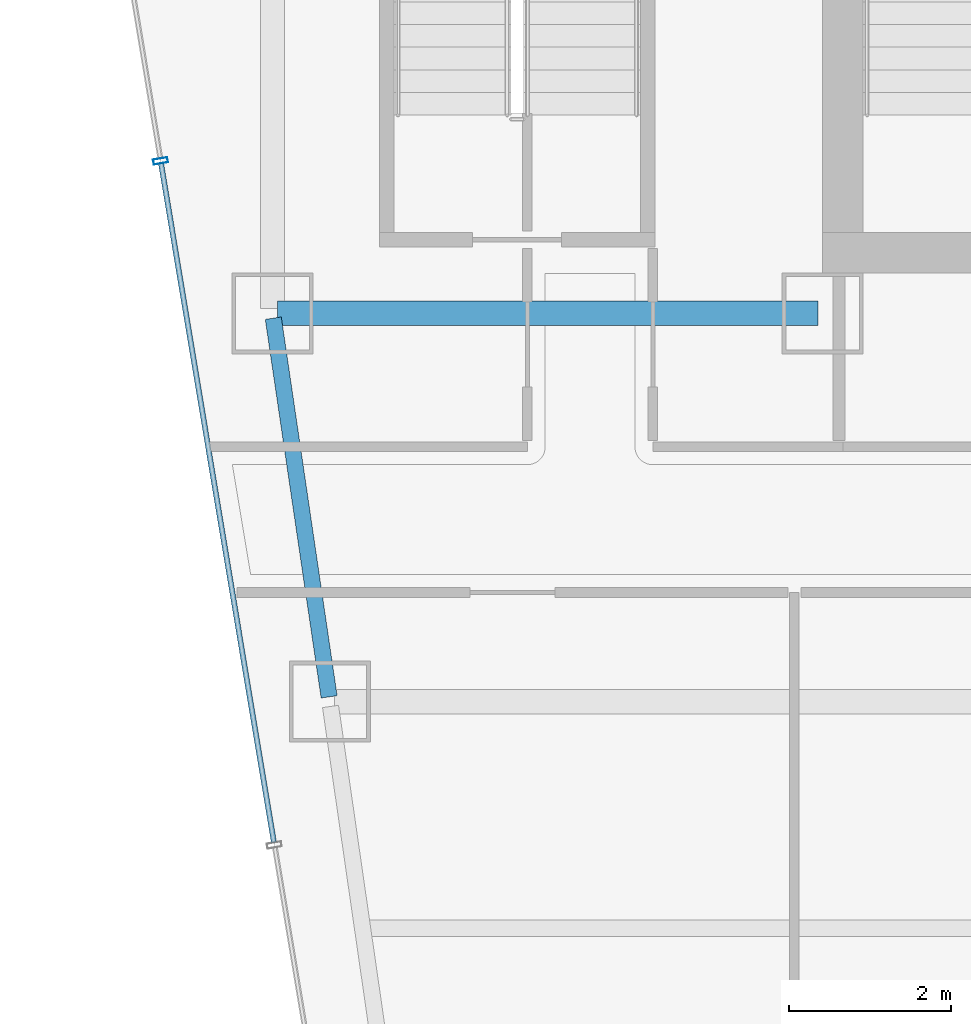
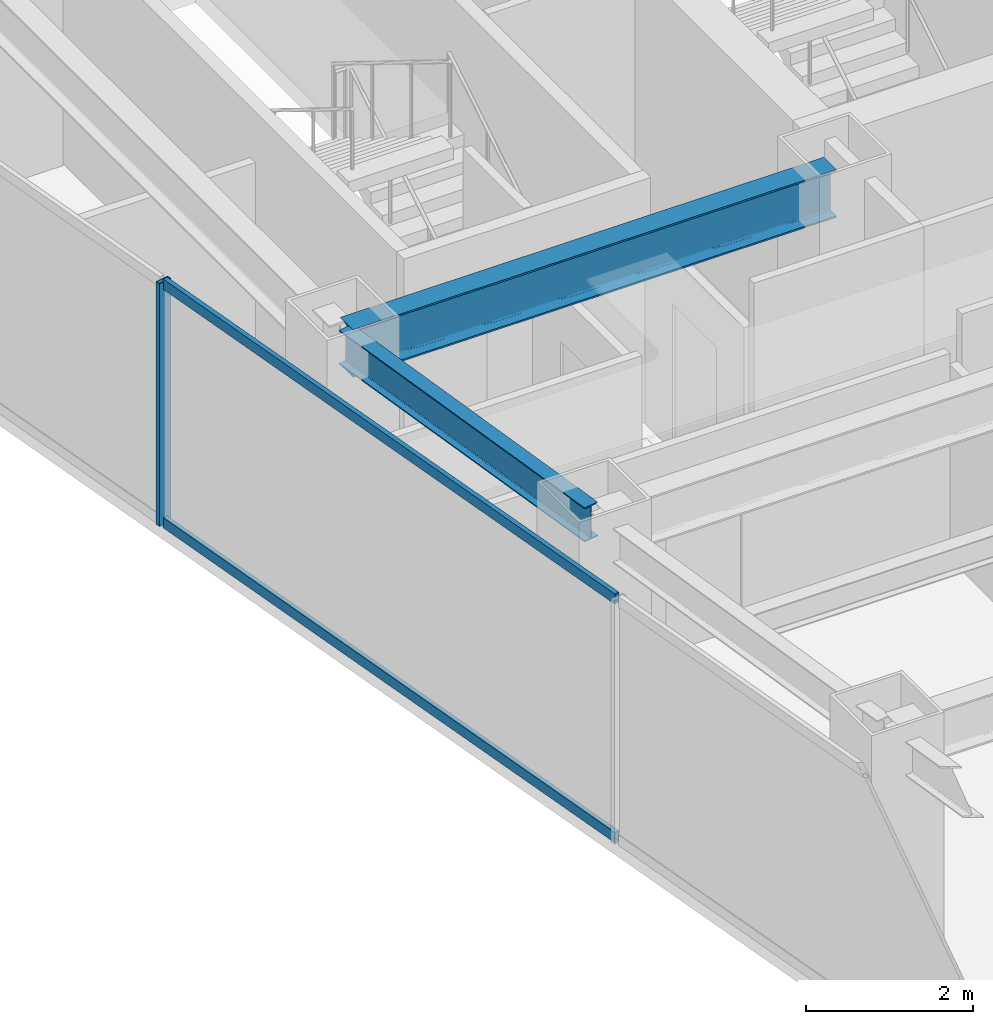
# One storey, part 23 of 40: 3 members, 2 beams, 1 element without a shape of its own.
"""IFC4 building model written with IfcOpenShell, lengths in metres."""

import ifcopenshell
import ifcopenshell.guid

model = None  # the IFC model being written
_history = None  # IfcOwnerHistory: only IFC2X3 demands one
_inside = {}  # id of a spatial element -> (the spatial element, [elements in it])
_under = {}  # id of a project, library or spatial element -> (it, [spatial elements below it])
_declared = {}  # id of a project -> (the project, [libraries it declares])
_typed = {}  # id of a type object -> (the type object, [elements of that type])
_made_of = {}  # id of a material, layer set ... -> (it, [elements and type objects made of it])


def new_model(schema):
    """Start an empty IFC model of exactly this schema.

    Asked for "IFC4X3", IfcOpenShell would pick the latest addendum, in which some entities
    have other attributes; the version numbers below select the first issue.
    IFC2X3 requires an IfcOwnerHistory on every rooted entity: one is made here for all.
    """
    global model, _history
    if schema == "IFC4X3":
        model = ifcopenshell.file(schema_version=(4, 3, 0, 0))
    else:
        model = ifcopenshell.file(schema=schema)
    _inside.clear()
    _under.clear()
    _declared.clear()
    _typed.clear()
    _made_of.clear()
    _history = None
    if model.schema == "IFC2X3":
        org = make("IfcOrganization", Name="unknown")
        user = make(
            "IfcPersonAndOrganization",
            ThePerson=make("IfcPerson", FamilyName="unknown"),
            TheOrganization=org,
        )
        app = make(
            "IfcApplication",
            ApplicationDeveloper=org,
            Version="unknown",
            ApplicationFullName="unknown",
            ApplicationIdentifier="unknown",
        )
        _history = make(
            "IfcOwnerHistory",
            OwningUser=user,
            OwningApplication=app,
            ChangeAction="ADDED",
            CreationDate=0,
        )
    return model


def make(cls, **values):
    """One entity of the class cls with the attributes given. An attribute that is None is left unset."""
    return model.create_entity(
        cls, **{name: value for name, value in values.items() if value is not None}
    )


def rooted(cls, **values):
    """An entity with a GlobalId (a new one), such as an element, a storey or a relation."""
    return make(cls, GlobalId=ifcopenshell.guid.new(), OwnerHistory=_history, **values)


def si_unit(unit_type, name, prefix=None):
    """IfcSIUnit, for example si_unit("LENGTHUNIT", "METRE", prefix="MILLI")."""
    return make("IfcSIUnit", UnitType=unit_type, Prefix=prefix, Name=name)


def assignment(units):
    """IfcUnitAssignment: the units of a project."""
    return None if units is None else make("IfcUnitAssignment", Units=units)


def point(xyz):
    """IfcCartesianPoint."""
    return None if xyz is None else make("IfcCartesianPoint", Coordinates=xyz)


def direction(xyz):
    """IfcDirection."""
    return None if xyz is None else make("IfcDirection", DirectionRatios=xyz)


def frame(location, z_axis=None, x_axis=None):
    """IfcAxis2Placement3D, a coordinate frame: its origin and axes. An axis left out is left unset."""
    return make(
        "IfcAxis2Placement3D",
        Location=point(location),
        Axis=direction(z_axis),
        RefDirection=direction(x_axis),
    )


def frame_2d(location, x_axis=None):
    """IfcAxis2Placement2D, a coordinate frame in the plane: its origin and x axis."""
    return make(
        "IfcAxis2Placement2D", Location=point(location), RefDirection=direction(x_axis)
    )


def origin():
    """The frame at (0, 0, 0) with its axes left unset."""
    return frame((0.0, 0.0, 0.0))


def origin_2d():
    """The frame at (0, 0) in the plane with its x axis left unset."""
    return frame_2d((0.0, 0.0))


def place(relative_to, where):
    """IfcLocalPlacement: puts the frame where relative to a parent placement (None: the world)."""
    return make(
        "IfcLocalPlacement", PlacementRelTo=relative_to, RelativePlacement=where
    )


def context(
    kind, dimensions, precision=None, world=None, true_north=None, identifier=None
):
    """IfcGeometricRepresentationContext, for example the 3D "Model" context."""
    return make(
        "IfcGeometricRepresentationContext",
        ContextIdentifier=identifier,
        ContextType=kind,
        CoordinateSpaceDimension=dimensions,
        Precision=precision,
        WorldCoordinateSystem=world,
        TrueNorth=true_north,
    )


def subcontext(parent, identifier, kind, view, scale=None):
    """IfcGeometricRepresentationSubContext, for example "Body" below "Model"."""
    return make(
        "IfcGeometricRepresentationSubContext",
        ContextIdentifier=identifier,
        ContextType=kind,
        ParentContext=parent,
        TargetScale=scale,
        TargetView=view,
    )


def project(units=None, contexts=None):
    """IfcProject with its units and contexts."""
    return rooted(
        "IfcProject",
        Name="project",
        RepresentationContexts=contexts,
        UnitsInContext=assignment(units),
    )


def spatial(cls, under=None, at=None, **own):
    """A site, building, storey or space (cls), placed at a placement, below another one or the project."""
    s = rooted(cls, ObjectPlacement=at, **own)
    if under is not None:
        _under.setdefault(under.id(), (under, []))[1].append(s)
    return s


def profile(cls, at=None, kind="AREA", **sizes):
    """A parametric profile (cls). Its sizes go by their IFC names, for example OverallWidth=200.0."""
    return make(cls, ProfileType=kind, Position=at, **sizes)


def hollow_rectangle(**sizes):
    """IfcRectangleHollowProfileDef."""
    return profile("IfcRectangleHollowProfileDef", **sizes)


def i_section(**sizes):
    """IfcIShapeProfileDef."""
    return profile("IfcIShapeProfileDef", **sizes)


def extrude(swept, where, along, depth):
    """IfcExtrudedAreaSolid: the profile swept, set in the frame where, extruded along a direction by depth."""
    return make(
        "IfcExtrudedAreaSolid",
        SweptArea=swept,
        Position=where,
        ExtrudedDirection=direction(along),
        Depth=depth,
    )


def shape(context_of_items, identifier, shape_type, items):
    """IfcShapeRepresentation: the items that make up one representation, for example the "Body"."""
    return make(
        "IfcShapeRepresentation",
        ContextOfItems=context_of_items,
        RepresentationIdentifier=identifier,
        RepresentationType=shape_type,
        Items=items,
    )


def material(Name=None, Category=None):
    """IfcMaterial."""
    return make("IfcMaterial", Name=Name, Category=Category)


def material_profile(
    of_material, cross_section, Name=None, Category=None, Priority=None
):
    """IfcMaterialProfile: a cross section and its material."""
    return make(
        "IfcMaterialProfile",
        Name=Name,
        Material=of_material,
        Profile=cross_section,
        Priority=Priority,
        Category=Category,
    )


def profile_set(profiles, Name=None, composite=None):
    """IfcMaterialProfileSet."""
    return make(
        "IfcMaterialProfileSet",
        Name=Name,
        MaterialProfiles=profiles,
        CompositeProfile=composite,
    )


def made_of(thing, what):
    """Note that an element or type object is made of a material, layer set ...; save() writes the relation."""
    if what is not None:
        _made_of.setdefault(what.id(), (what, []))[1].append(thing)
    return thing


def type_object(cls, material=None, **own):
    """A type object (cls), such as IfcWallType, which elements share."""
    return made_of(rooted(cls, **own), material)


def element(
    cls,
    number,
    at=None,
    inside=None,
    cuts=None,
    type_object=None,
    material=None,
    context=None,
    identifier="Body",
    shape_type=None,
    held_by="IfcProductDefinitionShape",
    body=None,
    shapes=None,
    **own,
):
    """One element of the class cls, such as IfcWall. Its Tag is "e" and its number.

    at: its placement. inside: the storey or other place that contains it. cuts: it is an
    opening in that element (IfcRelVoidsElement). A single representation is given by context,
    identifier, shape_type and body (its items); several are given by shapes. held_by: the class
    of the entity that holds the representations. save() writes the other relations.
    """
    e = rooted(cls, Tag="e%d" % number, ObjectPlacement=at, **own)
    if body is not None:
        shapes = [shape(context, identifier, shape_type, body)]
    if shapes is not None:
        e.Representation = make(held_by, Representations=shapes)
    if inside is not None:
        _inside.setdefault(inside.id(), (inside, []))[1].append(e)
    if cuts is not None:
        rooted(
            "IfcRelVoidsElement", RelatingBuildingElement=cuts, RelatedOpeningElement=e
        )
    if type_object is not None:
        _typed.setdefault(type_object.id(), (type_object, []))[1].append(e)
    return made_of(e, material)


def aggregate(whole, parts):
    """IfcRelAggregates: a whole, such as a stair, and the parts it consists of."""
    return rooted("IfcRelAggregates", RelatingObject=whole, RelatedObjects=parts)


def save(model, path):
    """Write the relations noted so far, then the file.

    IfcRelAggregates (storeys below a building ...), IfcRelContainedInSpatialStructure (elements
    in a storey), IfcRelDefinesByType, IfcRelAssociatesMaterial and IfcRelDeclares: one each for
    every whole, place, type object, material and project.
    """
    for whole, parts in _under.values():
        aggregate(whole, parts)
    for where, things in _inside.values():
        rooted(
            "IfcRelContainedInSpatialStructure",
            RelatedElements=things,
            RelatingStructure=where,
        )
    for kind, things in _typed.values():
        rooted("IfcRelDefinesByType", RelatedObjects=things, RelatingType=kind)
    for what, things in _made_of.values():
        rooted("IfcRelAssociatesMaterial", RelatedObjects=things, RelatingMaterial=what)
    for by, libraries in _declared.values():
        rooted("IfcRelDeclares", RelatingContext=by, RelatedDefinitions=libraries)
    model.write(path)


model = new_model("IFC4")

# Units and contexts
model_context = context("Model", 3, precision=1e-05, world=origin(), true_north=direction((0.0, 1.0)))
body_context = subcontext(model_context, "Body", "Model", "MODEL_VIEW")
ifc_project = project(units=[si_unit("LENGTHUNIT", "METRE"), si_unit("AREAUNIT", "SQUARE_METRE"), si_unit("VOLUMEUNIT", "CUBIC_METRE"), si_unit("PLANEANGLEUNIT", "RADIAN"), si_unit("MASSUNIT", "GRAM", prefix="KILO")], contexts=[model_context])

# Site, building, storey
site_placement = place(None, origin())
site = spatial("IfcSite", under=ifc_project, at=site_placement, CompositionType="ELEMENT")
building_placement = place(site_placement, origin())
building = spatial("IfcBuilding", under=site, at=building_placement, Name="Saevonmaru Cultural Tower", CompositionType="ELEMENT")
storey_placement = place(building_placement, frame((0.0, 0.0, 129.60009765625)))
storey = spatial("IfcBuildingStorey", under=building, at=storey_placement, Name="L27", CompositionType="ELEMENT", Elevation=129.60009765625)

# Beams
ifc_material_1 = material(Name="Steel SM355", Category="steel")
ifc_material_profile_1 = material_profile(ifc_material_1, i_section(OverallWidth=0.300048828125, OverallDepth=0.699951171875, WebThickness=0.012939453125, FlangeThickness=0.02392578125, FilletRadius=0.02587890625, at=origin_2d()), Name="H-700x300x13x24")
ifc_profile_set_1 = profile_set([ifc_material_profile_1], Name="Steel SM355")
beam_type_1 = type_object("IfcBeamType", Name="BM-G-H700", PredefinedType="BEAM", material=ifc_profile_set_1)
beam_1_placement = place(storey_placement, frame((6.860107421875, 42.39990234375, 3.199951171875), z_axis=(1.0, 0.0, 0.0), x_axis=(0.0, 1.0, 0.0)))
element("IfcBeam", 1, at=beam_1_placement, inside=storey, type_object=beam_type_1, Name="L27 Core South Girder 1", PredefinedType="BEAM", context=body_context, shape_type="SweptSolid", body=[
    extrude(i_section(OverallWidth=0.300048828125, OverallDepth=0.699951171875, WebThickness=0.012939453125, FlangeThickness=0.02392578125, FilletRadius=0.02587890625, at=origin_2d()), origin(), (0.0, 0.0, 1.0), 6.679931640625),
])
ifc_material_profile_2 = material_profile(ifc_material_1, i_section(OverallWidth=0.199951171875, OverallDepth=0.5, WebThickness=0.010009765625, FlangeThickness=0.01611328125, FilletRadius=0.02001953125, at=origin_2d()), Name="H-500x200x10x16")
ifc_profile_set_2 = profile_set([ifc_material_profile_2], Name="Steel SM355")
beam_type_2 = type_object("IfcBeamType", Name="BM-SP-H500", PredefinedType="SPANDREL", material=ifc_profile_set_2)
beam_2_placement = place(storey_placement, frame((7.499267578125, 37.659423828125, 3.2998046875), z_axis=(-0.145912860028, 0.989297446312, 0.0), x_axis=(-0.989297446312, -0.145912860028, 0.0)))
element("IfcBeam", 2, at=beam_2_placement, inside=storey, type_object=beam_type_2, Name="L27 West Splayed Spandrel 5", PredefinedType="SPANDREL", context=body_context, shape_type="SweptSolid", body=[
    extrude(i_section(OverallWidth=0.199951171875, OverallDepth=0.5, WebThickness=0.010009765625, FlangeThickness=0.01611328125, FilletRadius=0.02001953125, at=origin_2d()), origin(), (0.0, 0.0, 1.0), 4.731689453125),
])

# Curtain wall, members
ifc_material_2 = material(Name="Satin Bronze Anodised Aluminium", Category="aluminium")
curtain_wall_type = type_object("IfcCurtainWallType", Name="CW-SKY-GLZ", PredefinedType="NOTDEFINED", material=ifc_material_2)
curtain_wall_placement = place(storey_placement, origin())
curtain_wall = element("IfcCurtainWall", 3, at=curtain_wall_placement, inside=storey, type_object=curtain_wall_type, Name="L27 Unitised Curtain Wall E12", PredefinedType="NOTDEFINED")
ifc_material_profile_3 = material_profile(ifc_material_2, hollow_rectangle(XDim=0.06494140625, YDim=0.179931640625, WallThickness=0.00390625, at=origin_2d()), Name="ALU-MULL-180x65x4")
ifc_profile_set_3 = profile_set([ifc_material_profile_3], Name="Satin Bronze Anodised Aluminium")
member_type_1 = type_object("IfcMemberType", Name="ML-CW-180x65", PredefinedType="MULLION", material=ifc_profile_set_3)
member_1_placement = place(storey_placement, frame((5.415771484375, 44.284423828125, 0.0), z_axis=(0.0, 0.0, 1.0), x_axis=(0.163998702345, -0.986460554523, 0.0)))
member_1 = element("IfcMember", 4, at=member_1_placement, type_object=member_type_1, Name="CW-TW-L27-E12 mullion 2", PredefinedType="MULLION", context=body_context, shape_type="SweptSolid", body=[
    extrude(hollow_rectangle(XDim=0.06494140625, YDim=0.179931640625, WallThickness=0.00390625, at=origin_2d()), origin(), (0.0, 0.0, 1.0), 3.5498046875),
])
ifc_material_profile_4 = material_profile(ifc_material_2, hollow_rectangle(XDim=0.06494140625, YDim=0.14990234375, WallThickness=0.00390625, at=origin_2d()), Name="ALU-TRAN-150x65x4")
ifc_profile_set_4 = profile_set([ifc_material_profile_4], Name="Satin Bronze Anodised Aluminium")
member_type_2 = type_object("IfcMemberType", Name="TR-CW-150x65", PredefinedType="USERDEFINED", material=ifc_profile_set_4)
member_2_placement = place(storey_placement, frame((5.4208984375, 44.25244140625, 0.032470703125), z_axis=(0.164003420685, -0.986459770089, 0.0), x_axis=(0.986459770089, 0.164003420685, 0.0)))
member_2 = element("IfcMember", 5, at=member_2_placement, type_object=member_type_2, Name="CW-TW-L27-E12 transom 2.1", ObjectType="TRANSOM", PredefinedType="USERDEFINED", context=body_context, shape_type="SweptSolid", body=[
    extrude(hollow_rectangle(XDim=0.06494140625, YDim=0.14990234375, WallThickness=0.00390625, at=origin_2d()), origin(), (0.0, 0.0, 1.0), 8.507568359375),
])
member_3_placement = place(storey_placement, frame((5.4208984375, 44.25244140625, 3.517333984375), z_axis=(0.164003420685, -0.986459770089, 0.0), x_axis=(0.986459770089, 0.164003420685, 0.0)))
member_3 = element("IfcMember", 6, at=member_3_placement, type_object=member_type_2, Name="CW-TW-L27-E12 transom 2.2", ObjectType="TRANSOM", PredefinedType="USERDEFINED", context=body_context, shape_type="SweptSolid", body=[
    extrude(hollow_rectangle(XDim=0.06494140625, YDim=0.14990234375, WallThickness=0.00390625, at=origin_2d()), origin(), (0.0, 0.0, 1.0), 8.507568359375),
])
aggregate(curtain_wall, [member_1, member_2, member_3])

save(model, "model.ifc")
